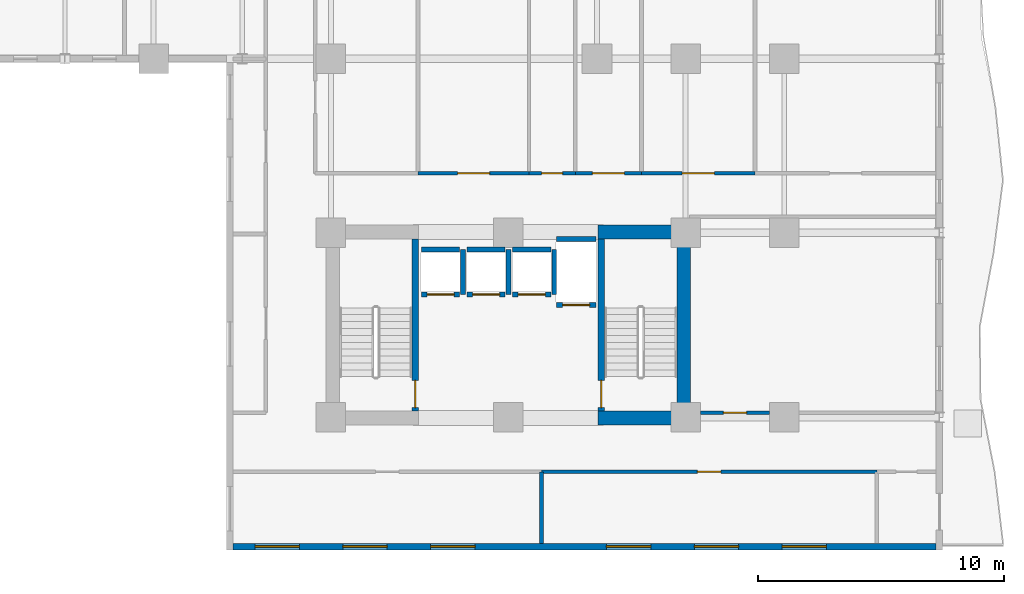
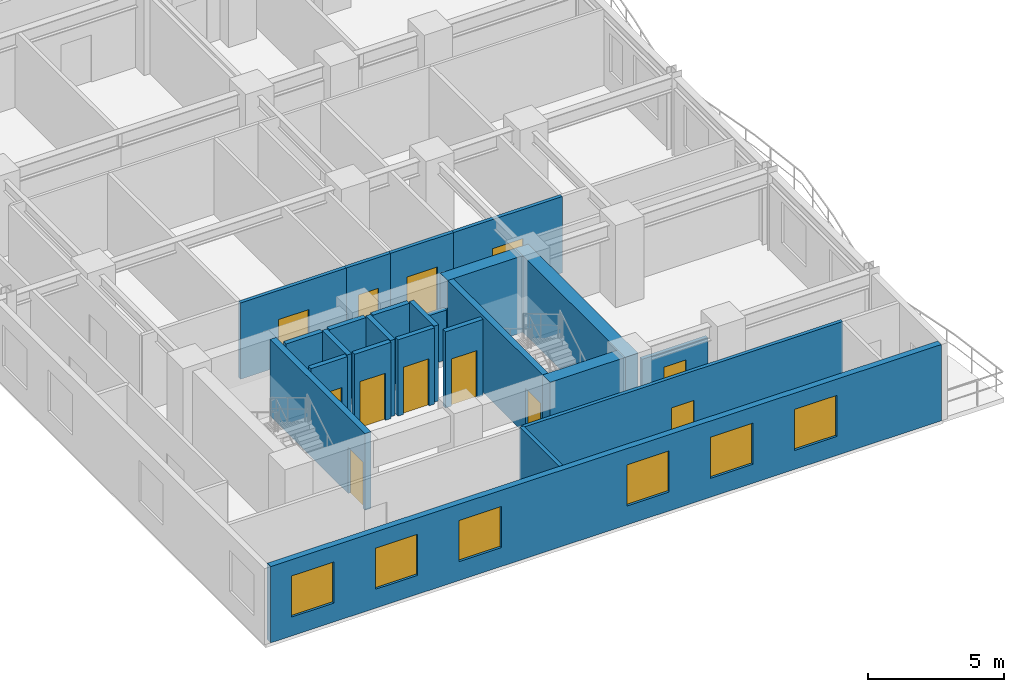
# One storey, part 12 of 18: 24 walls, 12 doors, 6 windows, 18 openings.
"""IFC4 building model written with IfcOpenShell, lengths in metres."""

import ifcopenshell
import ifcopenshell.guid

model = None  # the IFC model being written
_history = None  # IfcOwnerHistory: only IFC2X3 demands one
_inside = {}  # id of a spatial element -> (the spatial element, [elements in it])
_under = {}  # id of a project, library or spatial element -> (it, [spatial elements below it])
_declared = {}  # id of a project -> (the project, [libraries it declares])
_typed = {}  # id of a type object -> (the type object, [elements of that type])
_made_of = {}  # id of a material, layer set ... -> (it, [elements and type objects made of it])


def new_model(schema):
    """Start an empty IFC model of exactly this schema.

    Asked for "IFC4X3", IfcOpenShell would pick the latest addendum, in which some entities
    have other attributes; the version numbers below select the first issue.
    IFC2X3 requires an IfcOwnerHistory on every rooted entity: one is made here for all.
    """
    global model, _history
    if schema == "IFC4X3":
        model = ifcopenshell.file(schema_version=(4, 3, 0, 0))
    else:
        model = ifcopenshell.file(schema=schema)
    _inside.clear()
    _under.clear()
    _declared.clear()
    _typed.clear()
    _made_of.clear()
    _history = None
    if model.schema == "IFC2X3":
        org = make("IfcOrganization", Name="unknown")
        user = make(
            "IfcPersonAndOrganization",
            ThePerson=make("IfcPerson", FamilyName="unknown"),
            TheOrganization=org,
        )
        app = make(
            "IfcApplication",
            ApplicationDeveloper=org,
            Version="unknown",
            ApplicationFullName="unknown",
            ApplicationIdentifier="unknown",
        )
        _history = make(
            "IfcOwnerHistory",
            OwningUser=user,
            OwningApplication=app,
            ChangeAction="ADDED",
            CreationDate=0,
        )
    return model


def make(cls, **values):
    """One entity of the class cls with the attributes given. An attribute that is None is left unset."""
    return model.create_entity(
        cls, **{name: value for name, value in values.items() if value is not None}
    )


def rooted(cls, **values):
    """An entity with a GlobalId (a new one), such as an element, a storey or a relation."""
    return make(cls, GlobalId=ifcopenshell.guid.new(), OwnerHistory=_history, **values)


def si_unit(unit_type, name, prefix=None):
    """IfcSIUnit, for example si_unit("LENGTHUNIT", "METRE", prefix="MILLI")."""
    return make("IfcSIUnit", UnitType=unit_type, Prefix=prefix, Name=name)


def assignment(units):
    """IfcUnitAssignment: the units of a project."""
    return None if units is None else make("IfcUnitAssignment", Units=units)


def point(xyz):
    """IfcCartesianPoint."""
    return None if xyz is None else make("IfcCartesianPoint", Coordinates=xyz)


def direction(xyz):
    """IfcDirection."""
    return None if xyz is None else make("IfcDirection", DirectionRatios=xyz)


def frame(location, z_axis=None, x_axis=None):
    """IfcAxis2Placement3D, a coordinate frame: its origin and axes. An axis left out is left unset."""
    return make(
        "IfcAxis2Placement3D",
        Location=point(location),
        Axis=direction(z_axis),
        RefDirection=direction(x_axis),
    )


def frame_2d(location, x_axis=None):
    """IfcAxis2Placement2D, a coordinate frame in the plane: its origin and x axis."""
    return make(
        "IfcAxis2Placement2D", Location=point(location), RefDirection=direction(x_axis)
    )


def origin():
    """The frame at (0, 0, 0) with its axes left unset."""
    return frame((0.0, 0.0, 0.0))


def place(relative_to, where):
    """IfcLocalPlacement: puts the frame where relative to a parent placement (None: the world)."""
    return make(
        "IfcLocalPlacement", PlacementRelTo=relative_to, RelativePlacement=where
    )


def context(
    kind, dimensions, precision=None, world=None, true_north=None, identifier=None
):
    """IfcGeometricRepresentationContext, for example the 3D "Model" context."""
    return make(
        "IfcGeometricRepresentationContext",
        ContextIdentifier=identifier,
        ContextType=kind,
        CoordinateSpaceDimension=dimensions,
        Precision=precision,
        WorldCoordinateSystem=world,
        TrueNorth=true_north,
    )


def subcontext(parent, identifier, kind, view, scale=None):
    """IfcGeometricRepresentationSubContext, for example "Body" below "Model"."""
    return make(
        "IfcGeometricRepresentationSubContext",
        ContextIdentifier=identifier,
        ContextType=kind,
        ParentContext=parent,
        TargetScale=scale,
        TargetView=view,
    )


def project(units=None, contexts=None):
    """IfcProject with its units and contexts."""
    return rooted(
        "IfcProject",
        Name="project",
        RepresentationContexts=contexts,
        UnitsInContext=assignment(units),
    )


def spatial(cls, under=None, at=None, **own):
    """A site, building, storey or space (cls), placed at a placement, below another one or the project."""
    s = rooted(cls, ObjectPlacement=at, **own)
    if under is not None:
        _under.setdefault(under.id(), (under, []))[1].append(s)
    return s


def profile(cls, at=None, kind="AREA", **sizes):
    """A parametric profile (cls). Its sizes go by their IFC names, for example OverallWidth=200.0."""
    return make(cls, ProfileType=kind, Position=at, **sizes)


def rectangle(**sizes):
    """IfcRectangleProfileDef."""
    return profile("IfcRectangleProfileDef", **sizes)


def extrude(swept, where, along, depth):
    """IfcExtrudedAreaSolid: the profile swept, set in the frame where, extruded along a direction by depth."""
    return make(
        "IfcExtrudedAreaSolid",
        SweptArea=swept,
        Position=where,
        ExtrudedDirection=direction(along),
        Depth=depth,
    )


def shape(context_of_items, identifier, shape_type, items):
    """IfcShapeRepresentation: the items that make up one representation, for example the "Body"."""
    return make(
        "IfcShapeRepresentation",
        ContextOfItems=context_of_items,
        RepresentationIdentifier=identifier,
        RepresentationType=shape_type,
        Items=items,
    )


def material(Name=None, Category=None):
    """IfcMaterial."""
    return make("IfcMaterial", Name=Name, Category=Category)


def layer(
    of_material, thickness, ventilated=None, Name=None, Category=None, Priority=None
):
    """IfcMaterialLayer: one layer of a wall or slab, of a material (None: an air gap)."""
    return make(
        "IfcMaterialLayer",
        Material=of_material,
        LayerThickness=thickness,
        IsVentilated=ventilated,
        Name=Name,
        Category=Category,
        Priority=Priority,
    )


def layer_set(layers, Name=None):
    """IfcMaterialLayerSet."""
    return make("IfcMaterialLayerSet", MaterialLayers=layers, LayerSetName=Name)


def made_of(thing, what):
    """Note that an element or type object is made of a material, layer set ...; save() writes the relation."""
    if what is not None:
        _made_of.setdefault(what.id(), (what, []))[1].append(thing)
    return thing


def type_object(cls, material=None, **own):
    """A type object (cls), such as IfcWallType, which elements share."""
    return made_of(rooted(cls, **own), material)


def element(
    cls,
    number,
    at=None,
    inside=None,
    cuts=None,
    type_object=None,
    material=None,
    context=None,
    identifier="Body",
    shape_type=None,
    held_by="IfcProductDefinitionShape",
    body=None,
    shapes=None,
    **own,
):
    """One element of the class cls, such as IfcWall. Its Tag is "e" and its number.

    at: its placement. inside: the storey or other place that contains it. cuts: it is an
    opening in that element (IfcRelVoidsElement). A single representation is given by context,
    identifier, shape_type and body (its items); several are given by shapes. held_by: the class
    of the entity that holds the representations. save() writes the other relations.
    """
    e = rooted(cls, Tag="e%d" % number, ObjectPlacement=at, **own)
    if body is not None:
        shapes = [shape(context, identifier, shape_type, body)]
    if shapes is not None:
        e.Representation = make(held_by, Representations=shapes)
    if inside is not None:
        _inside.setdefault(inside.id(), (inside, []))[1].append(e)
    if cuts is not None:
        rooted(
            "IfcRelVoidsElement", RelatingBuildingElement=cuts, RelatedOpeningElement=e
        )
    if type_object is not None:
        _typed.setdefault(type_object.id(), (type_object, []))[1].append(e)
    return made_of(e, material)


def fill(opening, filler):
    """IfcRelFillsElement: the door or window that sits in an opening."""
    return rooted(
        "IfcRelFillsElement",
        RelatingOpeningElement=opening,
        RelatedBuildingElement=filler,
    )


def aggregate(whole, parts):
    """IfcRelAggregates: a whole, such as a stair, and the parts it consists of."""
    return rooted("IfcRelAggregates", RelatingObject=whole, RelatedObjects=parts)


def save(model, path):
    """Write the relations noted so far, then the file.

    IfcRelAggregates (storeys below a building ...), IfcRelContainedInSpatialStructure (elements
    in a storey), IfcRelDefinesByType, IfcRelAssociatesMaterial and IfcRelDeclares: one each for
    every whole, place, type object, material and project.
    """
    for whole, parts in _under.values():
        aggregate(whole, parts)
    for where, things in _inside.values():
        rooted(
            "IfcRelContainedInSpatialStructure",
            RelatedElements=things,
            RelatingStructure=where,
        )
    for kind, things in _typed.values():
        rooted("IfcRelDefinesByType", RelatedObjects=things, RelatingType=kind)
    for what, things in _made_of.values():
        rooted("IfcRelAssociatesMaterial", RelatedObjects=things, RelatingMaterial=what)
    for by, libraries in _declared.values():
        rooted("IfcRelDeclares", RelatingContext=by, RelatedDefinitions=libraries)
    model.write(path)


model = new_model("IFC4")

# Units and contexts
model_context = context("Model", 3, precision=1e-05, world=origin(), true_north=direction((0.0, 1.0)))
body_context = subcontext(model_context, "Body", "Model", "MODEL_VIEW")
ifc_project = project(units=[si_unit("LENGTHUNIT", "METRE"), si_unit("AREAUNIT", "SQUARE_METRE"), si_unit("VOLUMEUNIT", "CUBIC_METRE"), si_unit("PLANEANGLEUNIT", "RADIAN"), si_unit("MASSUNIT", "GRAM", prefix="KILO")], contexts=[model_context])

# Site, building, storey
site_placement = place(None, origin())
site = spatial("IfcSite", under=ifc_project, at=site_placement, CompositionType="ELEMENT")
building_placement = place(site_placement, origin())
building = spatial("IfcBuilding", under=site, at=building_placement, Name="Kaliganga Portal Commons", CompositionType="ELEMENT")
storey_placement = place(building_placement, frame((0.0, 0.0, 93.39990234375)))
storey = spatial("IfcBuildingStorey", under=building, at=storey_placement, Name="L23", CompositionType="ELEMENT", Elevation=93.39990234375)

# Walls
ifc_material_1 = material(Name="Concrete C60/75", Category="concrete")
ifc_layer_1 = layer(ifc_material_1, 0.550048828125)
ifc_layer_set_1 = layer_set([ifc_layer_1], Name="Concrete C60/75")
wall_type_1 = type_object("IfcWallType", Name="WL-CORE-550", PredefinedType="SHEAR", material=ifc_layer_set_1)
wall_1_placement = place(storey_placement, frame((50.324951171875, 6.75, 0.0), z_axis=(0.0, 0.0, 1.0), x_axis=(0.0, 1.0, 0.0)))
element("IfcWall", 1, at=wall_1_placement, inside=storey, type_object=wall_type_1, Name="Core B East Shear Wall L23", PredefinedType="SHEAR", context=body_context, shape_type="SweptSolid", body=[
    extrude(rectangle(XDim=8.10009765625, YDim=0.550048828125, at=frame_2d((4.050048828125, 0.0))), origin(), (0.0, 0.0, 1.0), 3.4501953125),
])
for number, where, z_axis, x_axis, name in (
    (2, (46.85009765625, 7.02490234375, 0.0), (0.0, 0.0, 1.0), (1.0, 0.0, 0.0), "Core B S-East Shear Wall L23"),
    (3, (46.85009765625, 14.574951171875, 0.0), (0.0, 0.0, 1.0), (1.0, 0.0, 0.0), "Core B N-East Shear Wall L23"),
):
    element("IfcWall", number, at=place(storey_placement, frame(where, z_axis=z_axis, x_axis=x_axis)), inside=storey, type_object=wall_type_1, Name=name, PredefinedType="SHEAR", context=body_context, shape_type="SweptSolid", body=[
        extrude(rectangle(XDim=3.199951171875, YDim=0.550048828125, at=frame_2d((1.60009765625, 0.0))), origin(), (0.0, 0.0, 1.0), 3.4501953125),
    ])

# Wall, openings, windows
ifc_material_2 = material(Name="Insulated Aluminium-Clad Spandrel Assembly", Category="aluminium")
ifc_layer_2 = layer(ifc_material_2, 0.260009765625)
ifc_layer_set_2 = layer_set([ifc_layer_2], Name="Insulated Aluminium-Clad Spandrel Assembly")
wall_type_2 = type_object("IfcWallType", Name="WL-EXT-SPAND-260", PredefinedType="STANDARD", material=ifc_layer_set_2)
wall_2_placement = place(storey_placement, frame((60.56494140625, 1.800048828125, 0.0), z_axis=(0.0, 0.0, 1.0), x_axis=(-1.0, 0.0, 0.0)))
wall_2 = element("IfcWall", 4, at=wall_2_placement, inside=storey, type_object=wall_type_2, Name="Exterior Envelope Wall L23 P1-E00-S1", PredefinedType="STANDARD", context=body_context, shape_type="SweptSolid", body=[
    extrude(rectangle(XDim=28.530029296875, YDim=0.260009765625, at=frame_2d((14.26513671875, 0.0))), origin(), (0.0, 0.0, 1.0), 3.43017578125),
])
opening_1_placement = place(wall_2_placement, frame((4.449462890625, 0.0, 0.85009765625)))
opening_1 = element("IfcOpeningElement", 5, at=opening_1_placement, cuts=wall_2, Name="Opening W-01", PredefinedType="OPENING", context=body_context, shape_type="SweptSolid", body=[
    extrude(rectangle(XDim=1.800048828125, YDim=1.85009765625, at=frame_2d((0.89990234375, 0.925048828125))), frame((0.0, 0.14013671875, 0.0), z_axis=(0.0, -1.0, 0.0), x_axis=(1.0, 0.0, 0.0)), (0.0, 0.0, 1.0), 0.280029296875),
])
opening_2_placement = place(wall_2_placement, frame((8.015625, 0.0, 0.85009765625)))
opening_2 = element("IfcOpeningElement", 6, at=opening_2_placement, cuts=wall_2, Name="Opening W-01", PredefinedType="OPENING", context=body_context, shape_type="SweptSolid", body=[
    extrude(rectangle(XDim=1.800048828125, YDim=1.85009765625, at=frame_2d((0.89990234375, 0.925048828125))), frame((0.0, 0.14013671875, 0.0), z_axis=(0.0, -1.0, 0.0), x_axis=(1.0, 0.0, 0.0)), (0.0, 0.0, 1.0), 0.280029296875),
])
opening_3_placement = place(wall_2_placement, frame((11.581787109375, 0.0, 0.85009765625)))
opening_3 = element("IfcOpeningElement", 7, at=opening_3_placement, cuts=wall_2, Name="Opening W-01", PredefinedType="OPENING", context=body_context, shape_type="SweptSolid", body=[
    extrude(rectangle(XDim=1.800048828125, YDim=1.85009765625, at=frame_2d((0.89990234375, 0.925048828125))), frame((0.0, 0.14013671875, 0.0), z_axis=(0.0, -1.0, 0.0), x_axis=(1.0, 0.0, 0.0)), (0.0, 0.0, 1.0), 0.280029296875),
])
opening_4_placement = place(wall_2_placement, frame((18.71435546875, 0.0, 0.85009765625)))
opening_4 = element("IfcOpeningElement", 8, at=opening_4_placement, cuts=wall_2, Name="Opening W-01", PredefinedType="OPENING", context=body_context, shape_type="SweptSolid", body=[
    extrude(rectangle(XDim=1.800048828125, YDim=1.85009765625, at=frame_2d((0.89990234375, 0.925048828125))), frame((0.0, 0.14013671875, 0.0), z_axis=(0.0, -1.0, 0.0), x_axis=(1.0, 0.0, 0.0)), (0.0, 0.0, 1.0), 0.280029296875),
])
opening_5_placement = place(wall_2_placement, frame((22.280517578125, 0.0, 0.85009765625)))
opening_5 = element("IfcOpeningElement", 9, at=opening_5_placement, cuts=wall_2, Name="Opening W-01", PredefinedType="OPENING", context=body_context, shape_type="SweptSolid", body=[
    extrude(rectangle(XDim=1.800048828125, YDim=1.85009765625, at=frame_2d((0.89990234375, 0.925048828125))), frame((0.0, 0.14013671875, 0.0), z_axis=(0.0, -1.0, 0.0), x_axis=(1.0, 0.0, 0.0)), (0.0, 0.0, 1.0), 0.280029296875),
])
opening_6_placement = place(wall_2_placement, frame((25.846923828125, 0.0, 0.85009765625)))
opening_6 = element("IfcOpeningElement", 10, at=opening_6_placement, cuts=wall_2, Name="Opening W-01", PredefinedType="OPENING", context=body_context, shape_type="SweptSolid", body=[
    extrude(rectangle(XDim=1.800048828125, YDim=1.85009765625, at=frame_2d((0.89990234375, 0.925048828125))), frame((0.0, 0.14013671875, 0.0), z_axis=(0.0, -1.0, 0.0), x_axis=(1.0, 0.0, 0.0)), (0.0, 0.0, 1.0), 0.280029296875),
])
ifc_material_3 = material(Name="Thermally Broken Aluminium and Low-E Double Glazing", Category="aluminium")
window_type = type_object("IfcWindowType", Name="WIN-STD-1800", PartitioningType="DOUBLE_PANEL_VERTICAL", PredefinedType="WINDOW", material=ifc_material_3)
window_1_placement = place(opening_1_placement, origin())
window_1 = element("IfcWindow", 11, at=window_1_placement, inside=storey, type_object=window_type, Name="Facade Window L23-P1E00S1-01", OverallHeight=1.85009765625, OverallWidth=1.800048828125, PartitioningType="SINGLE_PANEL", PredefinedType="WINDOW", context=body_context, shape_type="SweptSolid", body=[
    extrude(rectangle(XDim=1.800048828125, YDim=1.85009765625, at=frame_2d((0.89990234375, 0.925048828125))), frame((0.0, 0.030029296875, 0.0), z_axis=(0.0, -1.0, 0.0), x_axis=(1.0, 0.0, 0.0)), (0.0, 0.0, 1.0), 0.06005859375),
])
fill(opening_1, window_1)
window_2_placement = place(opening_2_placement, origin())
window_2 = element("IfcWindow", 12, at=window_2_placement, inside=storey, type_object=window_type, Name="Facade Window L23-P1E00S1-02", OverallHeight=1.85009765625, OverallWidth=1.800048828125, PartitioningType="SINGLE_PANEL", PredefinedType="WINDOW", context=body_context, shape_type="SweptSolid", body=[
    extrude(rectangle(XDim=1.800048828125, YDim=1.85009765625, at=frame_2d((0.89990234375, 0.925048828125))), frame((0.0, 0.030029296875, 0.0), z_axis=(0.0, -1.0, 0.0), x_axis=(1.0, 0.0, 0.0)), (0.0, 0.0, 1.0), 0.06005859375),
])
fill(opening_2, window_2)
window_3_placement = place(opening_3_placement, origin())
window_3 = element("IfcWindow", 13, at=window_3_placement, inside=storey, type_object=window_type, Name="Facade Window L23-P1E00S1-03", OverallHeight=1.85009765625, OverallWidth=1.800048828125, PartitioningType="SINGLE_PANEL", PredefinedType="WINDOW", context=body_context, shape_type="SweptSolid", body=[
    extrude(rectangle(XDim=1.800048828125, YDim=1.85009765625, at=frame_2d((0.89990234375, 0.925048828125))), frame((0.0, 0.030029296875, 0.0), z_axis=(0.0, -1.0, 0.0), x_axis=(1.0, 0.0, 0.0)), (0.0, 0.0, 1.0), 0.06005859375),
])
fill(opening_3, window_3)
window_4_placement = place(opening_4_placement, origin())
window_4 = element("IfcWindow", 14, at=window_4_placement, inside=storey, type_object=window_type, Name="Facade Window L23-P1E00S1-05", OverallHeight=1.85009765625, OverallWidth=1.800048828125, PartitioningType="SINGLE_PANEL", PredefinedType="WINDOW", context=body_context, shape_type="SweptSolid", body=[
    extrude(rectangle(XDim=1.800048828125, YDim=1.85009765625, at=frame_2d((0.89990234375, 0.925048828125))), frame((0.0, 0.030029296875, 0.0), z_axis=(0.0, -1.0, 0.0), x_axis=(1.0, 0.0, 0.0)), (0.0, 0.0, 1.0), 0.06005859375),
])
fill(opening_4, window_4)
window_5_placement = place(opening_5_placement, origin())
window_5 = element("IfcWindow", 15, at=window_5_placement, inside=storey, type_object=window_type, Name="Facade Window L23-P1E00S1-06", OverallHeight=1.85009765625, OverallWidth=1.800048828125, PartitioningType="SINGLE_PANEL", PredefinedType="WINDOW", context=body_context, shape_type="SweptSolid", body=[
    extrude(rectangle(XDim=1.800048828125, YDim=1.85009765625, at=frame_2d((0.89990234375, 0.925048828125))), frame((0.0, 0.030029296875, 0.0), z_axis=(0.0, -1.0, 0.0), x_axis=(1.0, 0.0, 0.0)), (0.0, 0.0, 1.0), 0.06005859375),
])
fill(opening_5, window_5)
window_6_placement = place(opening_6_placement, origin())
window_6 = element("IfcWindow", 16, at=window_6_placement, inside=storey, type_object=window_type, Name="Facade Window L23-P1E00S1-07", OverallHeight=1.85009765625, OverallWidth=1.800048828125, PartitioningType="SINGLE_PANEL", PredefinedType="WINDOW", context=body_context, shape_type="SweptSolid", body=[
    extrude(rectangle(XDim=1.800048828125, YDim=1.85009765625, at=frame_2d((0.89990234375, 0.925048828125))), frame((0.0, 0.030029296875, 0.0), z_axis=(0.0, -1.0, 0.0), x_axis=(1.0, 0.0, 0.0)), (0.0, 0.0, 1.0), 0.06005859375),
])
fill(opening_6, window_6)

# Wall, opening, door
ifc_material_4 = material(Name="Fire-Rated Gypsum Board on Steel Stud", Category="steel")
ifc_layer_3 = layer(ifc_material_4, 0.14990234375)
ifc_layer_set_3 = layer_set([ifc_layer_3], Name="Fire-Rated Gypsum Board on Steel Stud")
wall_type_3 = type_object("IfcWallType", Name="WL-PART-CORR-150", PredefinedType="PARTITIONING", material=ifc_layer_set_3)
wall_3_placement = place(storey_placement, frame((44.5400390625, 4.840087890625, 0.0), z_axis=(0.0, 0.0, 1.0), x_axis=(1.0, 0.0, 0.0)))
wall_3 = element("IfcWall", 17, at=wall_3_placement, inside=storey, type_object=wall_type_3, Name="Interior Partition L23-005", PredefinedType="PARTITIONING", context=body_context, shape_type="SweptSolid", body=[
    extrude(rectangle(XDim=13.619873046875, YDim=0.14990234375, at=frame_2d((6.81005859375, 0.0))), origin(), (0.0, 0.0, 1.0), 3.43017578125),
])
opening_7_placement = place(wall_3_placement, frame((6.3349609375, 0.0, 0.0)))
opening_7 = element("IfcOpeningElement", 18, at=opening_7_placement, cuts=wall_3, Name="Opening UD-01", PredefinedType="OPENING", context=body_context, shape_type="SweptSolid", body=[
    extrude(rectangle(XDim=0.949951171875, YDim=2.10009765625, at=frame_2d((0.47509765625, 1.050048828125))), frame((0.0, 0.0849609375, 0.0), z_axis=(0.0, -1.0, 0.0), x_axis=(1.0, 0.0, 0.0)), (0.0, 0.0, 1.0), 0.169921875),
])
ifc_material_5 = material(Name="Solid-Core Timber Acoustic Fire Door", Category="wood")
door_type_1 = type_object("IfcDoorType", Name="DR-UNIT-950", OperationType="NOTDEFINED", PredefinedType="DOOR", material=ifc_material_5)
door_1_placement = place(opening_7_placement, origin())
door_1 = element("IfcDoor", 19, at=door_1_placement, inside=storey, type_object=door_type_1, Name="Interior Door L23-BS02", OperationType="SINGLE_SWING_RIGHT", OverallHeight=2.10009765625, OverallWidth=0.949951171875, PredefinedType="DOOR", context=body_context, shape_type="SweptSolid", body=[
    extrude(rectangle(XDim=0.949951171875, YDim=2.10009765625, at=frame_2d((0.47509765625, 1.050048828125))), frame((0.0, 0.02490234375, 0.0), z_axis=(0.0, -1.0, 0.0), x_axis=(1.0, 0.0, 0.0)), (0.0, 0.0, 1.0), 0.050048828125),
])
fill(opening_7, door_1)

wall_4_placement = place(storey_placement, frame((51.0, 7.239990234375, 0.0), z_axis=(0.0, 0.0, 1.0), x_axis=(1.0, 0.0, 0.0)))
wall_4 = element("IfcWall", 20, at=wall_4_placement, inside=storey, type_object=wall_type_3, Name="Interior Partition L23-008", PredefinedType="PARTITIONING", context=body_context, shape_type="SweptSolid", body=[
    extrude(rectangle(XDim=2.800048828125, YDim=0.14990234375, at=frame_2d((1.39990234375, 0.0))), origin(), (0.0, 0.0, 1.0), 2.780029296875),
])
opening_8_placement = place(wall_4_placement, frame((0.925048828125, 0.0, 0.0)))
opening_8 = element("IfcOpeningElement", 21, at=opening_8_placement, cuts=wall_4, Name="Opening UD-01", PredefinedType="OPENING", context=body_context, shape_type="SweptSolid", body=[
    extrude(rectangle(XDim=0.949951171875, YDim=2.10009765625, at=frame_2d((0.47509765625, 1.050048828125))), frame((0.0, 0.0849609375, 0.0), z_axis=(0.0, -1.0, 0.0), x_axis=(1.0, 0.0, 0.0)), (0.0, 0.0, 1.0), 0.169921875),
])
door_2_placement = place(opening_8_placement, origin())
door_2 = element("IfcDoor", 22, at=door_2_placement, inside=storey, type_object=door_type_1, Name="Interior Door L23-BE01", OperationType="SINGLE_SWING_LEFT", OverallHeight=2.10009765625, OverallWidth=0.949951171875, PredefinedType="DOOR", context=body_context, shape_type="SweptSolid", body=[
    extrude(rectangle(XDim=0.949951171875, YDim=2.10009765625, at=frame_2d((0.47509765625, 1.050048828125))), frame((0.0, 0.02490234375, 0.0), z_axis=(0.0, -1.0, 0.0), x_axis=(1.0, 0.0, 0.0)), (0.0, 0.0, 1.0), 0.050048828125),
])
fill(opening_8, door_2)

wall_5_placement = place(storey_placement, frame((48.60009765625, 16.9599609375, 0.0), z_axis=(0.0, 0.0, 1.0), x_axis=(1.0, 0.0, 0.0)))
wall_5 = element("IfcWall", 23, at=wall_5_placement, inside=storey, type_object=wall_type_3, Name="Interior Partition L23-028", PredefinedType="PARTITIONING", context=body_context, shape_type="SweptSolid", body=[
    extrude(rectangle(XDim=4.619873046875, YDim=0.14990234375, at=frame_2d((2.31005859375, 0.0))), origin(), (0.0, 0.0, 1.0), 3.43017578125),
])
opening_9_placement = place(wall_5_placement, frame((1.659912109375, 0.0, 0.0)))
opening_9 = element("IfcOpeningElement", 24, at=opening_9_placement, cuts=wall_5, Name="Opening RD-03", PredefinedType="OPENING", context=body_context, shape_type="SweptSolid", body=[
    extrude(rectangle(XDim=1.300048828125, YDim=2.1201171875, at=frame_2d((0.64990234375, 1.06005859375))), frame((0.0, 0.0849609375, 0.0), z_axis=(0.0, -1.0, 0.0), x_axis=(1.0, 0.0, 0.0)), (0.0, 0.0, 1.0), 0.169921875),
])
ifc_material_6 = material(Name="Glazed Timber Seminar Vision Door", Category="wood")
door_type_2 = type_object("IfcDoorType", Name="DR-STUDY-1300", OperationType="DOUBLE_DOOR_SINGLE_SWING", PredefinedType="DOOR", material=ifc_material_6)
door_3_placement = place(opening_9_placement, origin())
door_3 = element("IfcDoor", 25, at=door_3_placement, inside=storey, type_object=door_type_2, Name="Interior Door L23-BM04B", OperationType="DOUBLE_DOOR_SINGLE_SWING", OverallHeight=2.1201171875, OverallWidth=1.300048828125, PredefinedType="DOOR", context=body_context, shape_type="SweptSolid", body=[
    extrude(rectangle(XDim=1.300048828125, YDim=2.1201171875, at=frame_2d((0.64990234375, 1.06005859375))), frame((0.0, 0.02490234375, 0.0), z_axis=(0.0, -1.0, 0.0), x_axis=(1.0, 0.0, 0.0)), (0.0, 0.0, 1.0), 0.050048828125),
])
fill(opening_9, door_3)

wall_6_placement = place(storey_placement, frame((39.5400390625, 16.9599609375, 0.0), z_axis=(0.0, 0.0, 1.0), x_axis=(1.0, 0.0, 0.0)))
wall_6 = element("IfcWall", 26, at=wall_6_placement, inside=storey, type_object=wall_type_3, Name="Interior Partition L23-031", PredefinedType="PARTITIONING", context=body_context, shape_type="SweptSolid", body=[
    extrude(rectangle(XDim=4.5, YDim=0.14990234375, at=frame_2d((2.25, 0.0))), origin(), (0.0, 0.0, 1.0), 3.43017578125),
])
opening_10_placement = place(wall_6_placement, frame((1.60009765625, 0.0, 0.0)))
opening_10 = element("IfcOpeningElement", 27, at=opening_10_placement, cuts=wall_6, Name="Opening RD-03", PredefinedType="OPENING", context=body_context, shape_type="SweptSolid", body=[
    extrude(rectangle(XDim=1.300048828125, YDim=2.1201171875, at=frame_2d((0.64990234375, 1.06005859375))), frame((0.0, 0.0849609375, 0.0), z_axis=(0.0, -1.0, 0.0), x_axis=(1.0, 0.0, 0.0)), (0.0, 0.0, 1.0), 0.169921875),
])
door_4_placement = place(opening_10_placement, origin())
door_4 = element("IfcDoor", 28, at=door_4_placement, inside=storey, type_object=door_type_2, Name="Interior Door L23-BM02", OperationType="DOUBLE_DOOR_SINGLE_SWING", OverallHeight=2.1201171875, OverallWidth=1.300048828125, PredefinedType="DOOR", context=body_context, shape_type="SweptSolid", body=[
    extrude(rectangle(XDim=1.300048828125, YDim=2.1201171875, at=frame_2d((0.64990234375, 1.06005859375))), frame((0.0, 0.02490234375, 0.0), z_axis=(0.0, -1.0, 0.0), x_axis=(1.0, 0.0, 0.0)), (0.0, 0.0, 1.0), 0.050048828125),
])
fill(opening_10, door_4)

wall_7_placement = place(storey_placement, frame((45.919921875, 16.9599609375, 0.0), z_axis=(0.0, 0.0, 1.0), x_axis=(1.0, 0.0, 0.0)))
wall_7 = element("IfcWall", 29, at=wall_7_placement, inside=storey, type_object=wall_type_3, Name="Interior Partition L23-037", PredefinedType="PARTITIONING", context=body_context, shape_type="SweptSolid", body=[
    extrude(rectangle(XDim=2.68017578125, YDim=0.14990234375, at=frame_2d((1.340087890625, 0.0))), origin(), (0.0, 0.0, 1.0), 3.43017578125),
])
opening_11_placement = place(wall_7_placement, frame((0.68994140625, 0.0, 0.0)))
opening_11 = element("IfcOpeningElement", 30, at=opening_11_placement, cuts=wall_7, Name="Opening RD-03", PredefinedType="OPENING", context=body_context, shape_type="SweptSolid", body=[
    extrude(rectangle(XDim=1.300048828125, YDim=2.1201171875, at=frame_2d((0.64990234375, 1.06005859375))), frame((0.0, 0.0849609375, 0.0), z_axis=(0.0, -1.0, 0.0), x_axis=(1.0, 0.0, 0.0)), (0.0, 0.0, 1.0), 0.169921875),
])
door_5_placement = place(opening_11_placement, origin())
door_5 = element("IfcDoor", 31, at=door_5_placement, inside=storey, type_object=door_type_2, Name="Interior Door L23-BM04", OperationType="DOUBLE_DOOR_SINGLE_SWING", OverallHeight=2.1201171875, OverallWidth=1.300048828125, PredefinedType="DOOR", context=body_context, shape_type="SweptSolid", body=[
    extrude(rectangle(XDim=1.300048828125, YDim=2.1201171875, at=frame_2d((0.64990234375, 1.06005859375))), frame((0.0, 0.02490234375, 0.0), z_axis=(0.0, -1.0, 0.0), x_axis=(1.0, 0.0, 0.0)), (0.0, 0.0, 1.0), 0.050048828125),
])
fill(opening_11, door_5)

wall_8_placement = place(storey_placement, frame((44.0400390625, 16.9599609375, 0.0), z_axis=(0.0, 0.0, 1.0), x_axis=(1.0, 0.0, 0.0)))
wall_8 = element("IfcWall", 32, at=wall_8_placement, inside=storey, type_object=wall_type_3, Name="Interior Partition L23-044", PredefinedType="PARTITIONING", context=body_context, shape_type="SweptSolid", body=[
    extrude(rectangle(XDim=1.8798828125, YDim=0.14990234375, at=frame_2d((0.93994140625, 0.0))), origin(), (0.0, 0.0, 1.0), 3.43017578125),
])
opening_12_placement = place(wall_8_placement, frame((0.514892578125, 0.0, 0.0)))
opening_12 = element("IfcOpeningElement", 33, at=opening_12_placement, cuts=wall_8, Name="Opening WD-01", PredefinedType="OPENING", context=body_context, shape_type="SweptSolid", body=[
    extrude(rectangle(XDim=0.85009765625, YDim=2.0400390625, at=frame_2d((0.425048828125, 1.02001953125))), frame((0.0, 0.0849609375, 0.0), z_axis=(0.0, -1.0, 0.0), x_axis=(1.0, 0.0, 0.0)), (0.0, 0.0, 1.0), 0.169921875),
])
ifc_material_7 = material(Name="Moisture-Resistant Laminate Timber Door", Category="wood")
door_type_3 = type_object("IfcDoorType", Name="DR-WET-850", OperationType="NOTDEFINED", PredefinedType="DOOR", material=ifc_material_7)
door_6_placement = place(opening_12_placement, origin())
door_6 = element("IfcDoor", 34, at=door_6_placement, inside=storey, type_object=door_type_3, Name="Interior Door L23-BM03", OperationType="SINGLE_SWING_RIGHT", OverallHeight=2.0400390625, OverallWidth=0.85009765625, PredefinedType="DOOR", context=body_context, shape_type="SweptSolid", body=[
    extrude(rectangle(XDim=0.85009765625, YDim=2.0400390625, at=frame_2d((0.425048828125, 1.02001953125))), frame((0.0, 0.02490234375, 0.0), z_axis=(0.0, -1.0, 0.0), x_axis=(1.0, 0.0, 0.0)), (0.0, 0.0, 1.0), 0.050048828125),
])
fill(opening_12, door_6)

# Wall
ifc_material_8 = material(Name="Twin-Stud Acoustic Gypsum Partition", Category="gypsum")
ifc_layer_4 = layer(ifc_material_8, 0.1650390625)
ifc_layer_set_4 = layer_set([ifc_layer_4], Name="Twin-Stud Acoustic Gypsum Partition")
wall_type_4 = type_object("IfcWallType", Name="WL-PART-UNIT-165", PredefinedType="PARTITIONING", material=ifc_layer_set_4)
wall_9_placement = place(storey_placement, frame((44.5400390625, 1.931884765625, 0.0), z_axis=(0.0, 0.0, 1.0), x_axis=(0.0, 1.0, 0.0)))
element("IfcWall", 35, at=wall_9_placement, inside=storey, type_object=wall_type_4, Name="Interior Partition L23-078", PredefinedType="PARTITIONING", context=body_context, shape_type="SweptSolid", body=[
    extrude(rectangle(XDim=2.908203125, YDim=0.1650390625, at=frame_2d((1.4541015625, 0.0))), origin(), (0.0, 0.0, 1.0), 3.43017578125),
])

# Wall, opening, door
ifc_material_9 = material(Name="Fire-Rated Shaftwall Masonry Assembly", Category="masonry")
ifc_layer_5 = layer(ifc_material_9, 0.199951171875)
ifc_layer_set_5 = layer_set([ifc_layer_5], Name="Fire-Rated Shaftwall Masonry Assembly")
wall_type_5 = type_object("IfcWallType", Name="WL-SHAFT-200", PredefinedType="PARTITIONING", material=ifc_layer_set_5)
wall_10_placement = place(storey_placement, frame((39.675048828125, 12.034912109375, 0.0), z_axis=(0.0, 0.0, 1.0), x_axis=(1.0, 0.0, 0.0)))
wall_10 = element("IfcWall", 36, at=wall_10_placement, inside=storey, type_object=wall_type_5, Name="Lift PL-B1 Hoistway Shaft Wall L23-S", PredefinedType="PARTITIONING", context=body_context, shape_type="SweptSolid", body=[
    extrude(rectangle(XDim=1.550048828125, YDim=0.199951171875, at=frame_2d((0.77490234375, 0.0))), origin(), (0.0, 0.0, 1.0), 3.43017578125),
])
opening_13_placement = place(wall_10_placement, frame((0.22509765625, 0.0, 0.0)))
opening_13 = element("IfcOpeningElement", 37, at=opening_13_placement, cuts=wall_10, Name="Opening LD-01", PredefinedType="OPENING", context=body_context, shape_type="SweptSolid", body=[
    extrude(rectangle(XDim=1.10009765625, YDim=2.1201171875, at=frame_2d((0.550048828125, 1.06005859375))), frame((0.0, 0.10986328125, 0.0), z_axis=(0.0, -1.0, 0.0), x_axis=(1.0, 0.0, 0.0)), (0.0, 0.0, 1.0), 0.219970703125),
])
ifc_material_10 = material(Name="Brushed Stainless Steel 316 Lift Landing Door", Category="steel")
door_type_4 = type_object("IfcDoorType", Name="DR-LIFT-1100", OperationType="SLIDING_TO_LEFT", PredefinedType="DOOR", material=ifc_material_10)
door_7_placement = place(opening_13_placement, origin())
door_7 = element("IfcDoor", 38, at=door_7_placement, inside=storey, type_object=door_type_4, Name="Lift PL-B1 Sliding Landing Door L23", OperationType="SLIDING_TO_LEFT", OverallHeight=2.1201171875, OverallWidth=1.10009765625, PredefinedType="DOOR", context=body_context, shape_type="SweptSolid", body=[
    extrude(rectangle(XDim=1.10009765625, YDim=2.1201171875, at=frame_2d((0.550048828125, 1.06005859375))), frame((0.0, 0.02490234375, 0.0), z_axis=(0.0, -1.0, 0.0), x_axis=(1.0, 0.0, 0.0)), (0.0, 0.0, 1.0), 0.050048828125),
])
fill(opening_13, door_7)

# Walls
wall_11_placement = place(storey_placement, frame((39.675048828125, 13.864990234375, 0.0), z_axis=(0.0, 0.0, 1.0), x_axis=(1.0, 0.0, 0.0)))
element("IfcWall", 39, at=wall_11_placement, inside=storey, type_object=wall_type_5, Name="Lift PL-B1 Hoistway Shaft Wall L23-N", PredefinedType="PARTITIONING", context=body_context, shape_type="SweptSolid", body=[
    extrude(rectangle(XDim=1.550048828125, YDim=0.199951171875, at=frame_2d((0.77490234375, 0.0))), origin(), (0.0, 0.0, 1.0), 3.43017578125),
])
wall_12_placement = place(storey_placement, frame((41.364990234375, 12.034912109375, 0.0), z_axis=(0.0, 0.0, 1.0), x_axis=(0.0, 1.0, 0.0)))
element("IfcWall", 40, at=wall_12_placement, inside=storey, type_object=wall_type_5, Name="Lift PL-B1 Hoistway Shaft Wall L23-E", PredefinedType="PARTITIONING", context=body_context, shape_type="SweptSolid", body=[
    extrude(rectangle(XDim=1.830078125, YDim=0.199951171875, at=frame_2d((0.9150390625, 0.0))), origin(), (0.0, 0.0, 1.0), 3.43017578125),
])

# Wall, opening, door
wall_13_placement = place(storey_placement, frame((41.52490234375, 12.034912109375, 0.0), z_axis=(0.0, 0.0, 1.0), x_axis=(1.0, 0.0, 0.0)))
wall_13 = element("IfcWall", 41, at=wall_13_placement, inside=storey, type_object=wall_type_5, Name="Lift PL-B2 Hoistway Shaft Wall L23-S", PredefinedType="PARTITIONING", context=body_context, shape_type="SweptSolid", body=[
    extrude(rectangle(XDim=1.550048828125, YDim=0.199951171875, at=frame_2d((0.77490234375, 0.0))), origin(), (0.0, 0.0, 1.0), 3.43017578125),
])
opening_14_placement = place(wall_13_placement, frame((0.22509765625, 0.0, 0.0)))
opening_14 = element("IfcOpeningElement", 42, at=opening_14_placement, cuts=wall_13, Name="Opening LD-01", PredefinedType="OPENING", context=body_context, shape_type="SweptSolid", body=[
    extrude(rectangle(XDim=1.10009765625, YDim=2.1201171875, at=frame_2d((0.550048828125, 1.06005859375))), frame((0.0, 0.10986328125, 0.0), z_axis=(0.0, -1.0, 0.0), x_axis=(1.0, 0.0, 0.0)), (0.0, 0.0, 1.0), 0.219970703125),
])
door_8_placement = place(opening_14_placement, origin())
door_8 = element("IfcDoor", 43, at=door_8_placement, inside=storey, type_object=door_type_4, Name="Lift PL-B2 Sliding Landing Door L23", OperationType="SLIDING_TO_LEFT", OverallHeight=2.1201171875, OverallWidth=1.10009765625, PredefinedType="DOOR", context=body_context, shape_type="SweptSolid", body=[
    extrude(rectangle(XDim=1.10009765625, YDim=2.1201171875, at=frame_2d((0.550048828125, 1.06005859375))), frame((0.0, 0.02490234375, 0.0), z_axis=(0.0, -1.0, 0.0), x_axis=(1.0, 0.0, 0.0)), (0.0, 0.0, 1.0), 0.050048828125),
])
fill(opening_14, door_8)

# Walls
wall_14_placement = place(storey_placement, frame((41.52490234375, 13.864990234375, 0.0), z_axis=(0.0, 0.0, 1.0), x_axis=(1.0, 0.0, 0.0)))
element("IfcWall", 44, at=wall_14_placement, inside=storey, type_object=wall_type_5, Name="Lift PL-B2 Hoistway Shaft Wall L23-N", PredefinedType="PARTITIONING", context=body_context, shape_type="SweptSolid", body=[
    extrude(rectangle(XDim=1.550048828125, YDim=0.199951171875, at=frame_2d((0.77490234375, 0.0))), origin(), (0.0, 0.0, 1.0), 3.43017578125),
])
wall_15_placement = place(storey_placement, frame((43.215087890625, 12.034912109375, 0.0), z_axis=(0.0, 0.0, 1.0), x_axis=(0.0, 1.0, 0.0)))
element("IfcWall", 45, at=wall_15_placement, inside=storey, type_object=wall_type_5, Name="Lift PL-B2 Hoistway Shaft Wall L23-E", PredefinedType="PARTITIONING", context=body_context, shape_type="SweptSolid", body=[
    extrude(rectangle(XDim=1.830078125, YDim=0.199951171875, at=frame_2d((0.9150390625, 0.0))), origin(), (0.0, 0.0, 1.0), 3.43017578125),
])

# Wall, opening, door
wall_16_placement = place(storey_placement, frame((43.375, 12.034912109375, 0.0), z_axis=(0.0, 0.0, 1.0), x_axis=(1.0, 0.0, 0.0)))
wall_16 = element("IfcWall", 46, at=wall_16_placement, inside=storey, type_object=wall_type_5, Name="Lift SH-2 Hoistway Shaft Wall L23-S", PredefinedType="PARTITIONING", context=body_context, shape_type="SweptSolid", body=[
    extrude(rectangle(XDim=1.550048828125, YDim=0.199951171875, at=frame_2d((0.77490234375, 0.0))), origin(), (0.0, 0.0, 1.0), 3.43017578125),
])
opening_15_placement = place(wall_16_placement, frame((0.22509765625, 0.0, 0.0)))
opening_15 = element("IfcOpeningElement", 47, at=opening_15_placement, cuts=wall_16, Name="Opening LD-01", PredefinedType="OPENING", context=body_context, shape_type="SweptSolid", body=[
    extrude(rectangle(XDim=1.10009765625, YDim=2.1201171875, at=frame_2d((0.550048828125, 1.06005859375))), frame((0.0, 0.10986328125, 0.0), z_axis=(0.0, -1.0, 0.0), x_axis=(1.0, 0.0, 0.0)), (0.0, 0.0, 1.0), 0.219970703125),
])
door_9_placement = place(opening_15_placement, origin())
door_9 = element("IfcDoor", 48, at=door_9_placement, inside=storey, type_object=door_type_4, Name="Lift SH-2 Sliding Landing Door L23", OperationType="SLIDING_TO_LEFT", OverallHeight=2.1201171875, OverallWidth=1.10009765625, PredefinedType="DOOR", context=body_context, shape_type="SweptSolid", body=[
    extrude(rectangle(XDim=1.10009765625, YDim=2.1201171875, at=frame_2d((0.550048828125, 1.06005859375))), frame((0.0, 0.02490234375, 0.0), z_axis=(0.0, -1.0, 0.0), x_axis=(1.0, 0.0, 0.0)), (0.0, 0.0, 1.0), 0.050048828125),
])
fill(opening_15, door_9)

# Walls
wall_17_placement = place(storey_placement, frame((43.375, 13.864990234375, 0.0), z_axis=(0.0, 0.0, 1.0), x_axis=(1.0, 0.0, 0.0)))
element("IfcWall", 49, at=wall_17_placement, inside=storey, type_object=wall_type_5, Name="Lift SH-2 Hoistway Shaft Wall L23-N", PredefinedType="PARTITIONING", context=body_context, shape_type="SweptSolid", body=[
    extrude(rectangle(XDim=1.550048828125, YDim=0.199951171875, at=frame_2d((0.77490234375, 0.0))), origin(), (0.0, 0.0, 1.0), 3.43017578125),
])
wall_18_placement = place(storey_placement, frame((45.06494140625, 12.034912109375, 0.0), z_axis=(0.0, 0.0, 1.0), x_axis=(0.0, 1.0, 0.0)))
element("IfcWall", 50, at=wall_18_placement, inside=storey, type_object=wall_type_5, Name="Lift SH-2 Hoistway Shaft Wall L23-E", PredefinedType="PARTITIONING", context=body_context, shape_type="SweptSolid", body=[
    extrude(rectangle(XDim=1.830078125, YDim=0.199951171875, at=frame_2d((0.9150390625, 0.0))), origin(), (0.0, 0.0, 1.0), 3.43017578125),
])

# Wall, opening, door
wall_19_placement = place(storey_placement, frame((45.14990234375, 11.610107421875, 0.0), z_axis=(0.0, 0.0, 1.0), x_axis=(1.0, 0.0, 0.0)))
wall_19 = element("IfcWall", 51, at=wall_19_placement, inside=storey, type_object=wall_type_5, Name="Lift SL-B1 Hoistway Shaft Wall L23-S", PredefinedType="PARTITIONING", context=body_context, shape_type="SweptSolid", body=[
    extrude(rectangle(XDim=1.60009765625, YDim=0.199951171875, at=frame_2d((0.800048828125, 0.0))), origin(), (0.0, 0.0, 1.0), 3.43017578125),
])
opening_16_placement = place(wall_19_placement, frame((0.25, 0.0, 0.0)))
opening_16 = element("IfcOpeningElement", 52, at=opening_16_placement, cuts=wall_19, Name="Opening LD-01", PredefinedType="OPENING", context=body_context, shape_type="SweptSolid", body=[
    extrude(rectangle(XDim=1.10009765625, YDim=2.1201171875, at=frame_2d((0.550048828125, 1.06005859375))), frame((0.0, 0.10986328125, 0.0), z_axis=(0.0, -1.0, 0.0), x_axis=(1.0, 0.0, 0.0)), (0.0, 0.0, 1.0), 0.219970703125),
])
door_10_placement = place(opening_16_placement, origin())
door_10 = element("IfcDoor", 53, at=door_10_placement, inside=storey, type_object=door_type_4, Name="Lift SL-B1 Sliding Landing Door L23", OperationType="SLIDING_TO_LEFT", OverallHeight=2.1201171875, OverallWidth=1.10009765625, PredefinedType="DOOR", context=body_context, shape_type="SweptSolid", body=[
    extrude(rectangle(XDim=1.10009765625, YDim=2.1201171875, at=frame_2d((0.550048828125, 1.06005859375))), frame((0.0, 0.02490234375, 0.0), z_axis=(0.0, -1.0, 0.0), x_axis=(1.0, 0.0, 0.0)), (0.0, 0.0, 1.0), 0.050048828125),
])
fill(opening_16, door_10)

# Wall
wall_20_placement = place(storey_placement, frame((45.14990234375, 14.2900390625, 0.0), z_axis=(0.0, 0.0, 1.0), x_axis=(1.0, 0.0, 0.0)))
element("IfcWall", 54, at=wall_20_placement, inside=storey, type_object=wall_type_5, Name="Lift SL-B1 Hoistway Shaft Wall L23-N", PredefinedType="PARTITIONING", context=body_context, shape_type="SweptSolid", body=[
    extrude(rectangle(XDim=1.60009765625, YDim=0.199951171875, at=frame_2d((0.800048828125, 0.0))), origin(), (0.0, 0.0, 1.0), 2.22998046875),
])

# Wall, opening, door
ifc_material_11 = material(Name="Concrete C50/60", Category="concrete")
ifc_layer_6 = layer(ifc_material_11, 0.25)
ifc_layer_set_6 = layer_set([ifc_layer_6], Name="Concrete C50/60")
wall_type_6 = type_object("IfcWallType", Name="WL-STAIR-250", PredefinedType="SHEAR", material=ifc_layer_set_6)
wall_21_placement = place(storey_placement, frame((39.425048828125, 7.300048828125, 0.0), z_axis=(0.0, 0.0, 1.0), x_axis=(0.0, 1.0, 0.0)))
wall_21 = element("IfcWall", 55, at=wall_21_placement, inside=storey, type_object=wall_type_6, Name="Stair B1 Enclosure Shear Wall L23", PredefinedType="SHEAR", context=body_context, shape_type="SweptSolid", body=[
    extrude(rectangle(XDim=7.0, YDim=0.25, at=frame_2d((3.5, 0.0))), origin(), (0.0, 0.0, 1.0), 3.4501953125),
])
opening_17_placement = place(wall_21_placement, frame((0.14990234375, 0.0, 0.0)))
opening_17 = element("IfcOpeningElement", 56, at=opening_17_placement, cuts=wall_21, Name="Opening SD-01", PredefinedType="OPENING", context=body_context, shape_type="SweptSolid", body=[
    extrude(rectangle(XDim=1.10009765625, YDim=2.080078125, at=frame_2d((0.550048828125, 1.0400390625))), frame((0.0, 0.135009765625, 0.0), z_axis=(0.0, -1.0, 0.0), x_axis=(1.0, 0.0, 0.0)), (0.0, 0.0, 1.0), 0.27001953125),
])
ifc_material_12 = material(Name="Galvanized Steel Fire Door Leaf and Frame", Category="steel")
door_type_5 = type_object("IfcDoorType", Name="DR-STAIR-1100", OperationType="NOTDEFINED", PredefinedType="DOOR", material=ifc_material_12)
door_11_placement = place(opening_17_placement, origin())
door_11 = element("IfcDoor", 57, at=door_11_placement, inside=storey, type_object=door_type_5, Name="Protected Stair ST-B1 Fire Door L23", OperationType="SINGLE_SWING_LEFT", OverallHeight=2.080078125, OverallWidth=1.10009765625, PredefinedType="DOOR", context=body_context, shape_type="SweptSolid", body=[
    extrude(rectangle(XDim=1.10009765625, YDim=2.080078125, at=frame_2d((0.550048828125, 1.0400390625))), frame((0.0, 0.02490234375, 0.0), z_axis=(0.0, -1.0, 0.0), x_axis=(1.0, 0.0, 0.0)), (0.0, 0.0, 1.0), 0.050048828125),
])
fill(opening_17, door_11)

wall_22_placement = place(storey_placement, frame((46.97509765625, 7.300048828125, 0.0), z_axis=(0.0, 0.0, 1.0), x_axis=(0.0, 1.0, 0.0)))
wall_22 = element("IfcWall", 58, at=wall_22_placement, inside=storey, type_object=wall_type_6, Name="Stair B2 Enclosure Shear Wall L23", PredefinedType="SHEAR", context=body_context, shape_type="SweptSolid", body=[
    extrude(rectangle(XDim=7.0, YDim=0.25, at=frame_2d((3.5, 0.0))), origin(), (0.0, 0.0, 1.0), 3.4501953125),
])
opening_18_placement = place(wall_22_placement, frame((0.14990234375, 0.0, 0.0)))
opening_18 = element("IfcOpeningElement", 59, at=opening_18_placement, cuts=wall_22, Name="Opening SD-01", PredefinedType="OPENING", context=body_context, shape_type="SweptSolid", body=[
    extrude(rectangle(XDim=1.10009765625, YDim=2.080078125, at=frame_2d((0.550048828125, 1.0400390625))), frame((0.0, 0.135009765625, 0.0), z_axis=(0.0, -1.0, 0.0), x_axis=(1.0, 0.0, 0.0)), (0.0, 0.0, 1.0), 0.27001953125),
])
door_12_placement = place(opening_18_placement, origin())
door_12 = element("IfcDoor", 60, at=door_12_placement, inside=storey, type_object=door_type_5, Name="Protected Stair ST-B2 Fire Door L23", OperationType="SINGLE_SWING_RIGHT", OverallHeight=2.080078125, OverallWidth=1.10009765625, PredefinedType="DOOR", context=body_context, shape_type="SweptSolid", body=[
    extrude(rectangle(XDim=1.10009765625, YDim=2.080078125, at=frame_2d((0.550048828125, 1.0400390625))), frame((0.0, 0.02490234375, 0.0), z_axis=(0.0, -1.0, 0.0), x_axis=(1.0, 0.0, 0.0)), (0.0, 0.0, 1.0), 0.050048828125),
])
fill(opening_18, door_12)

save(model, "model.ifc")
